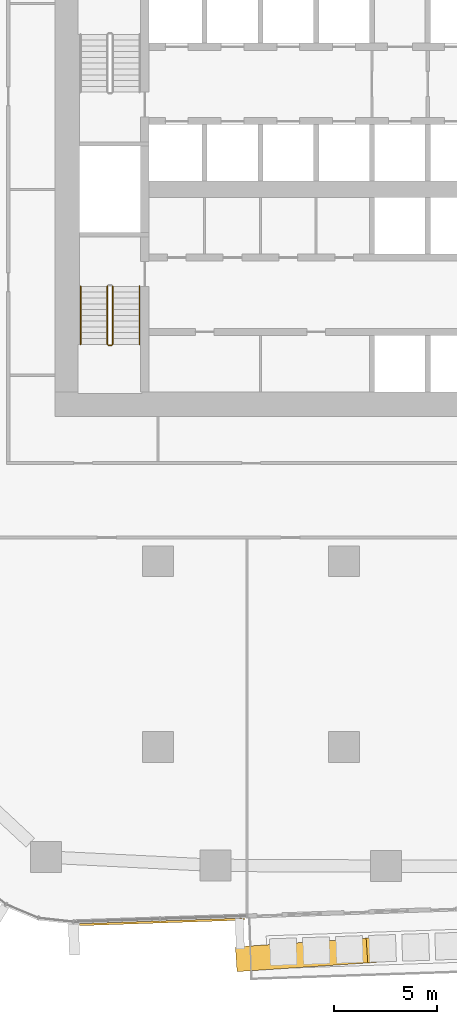
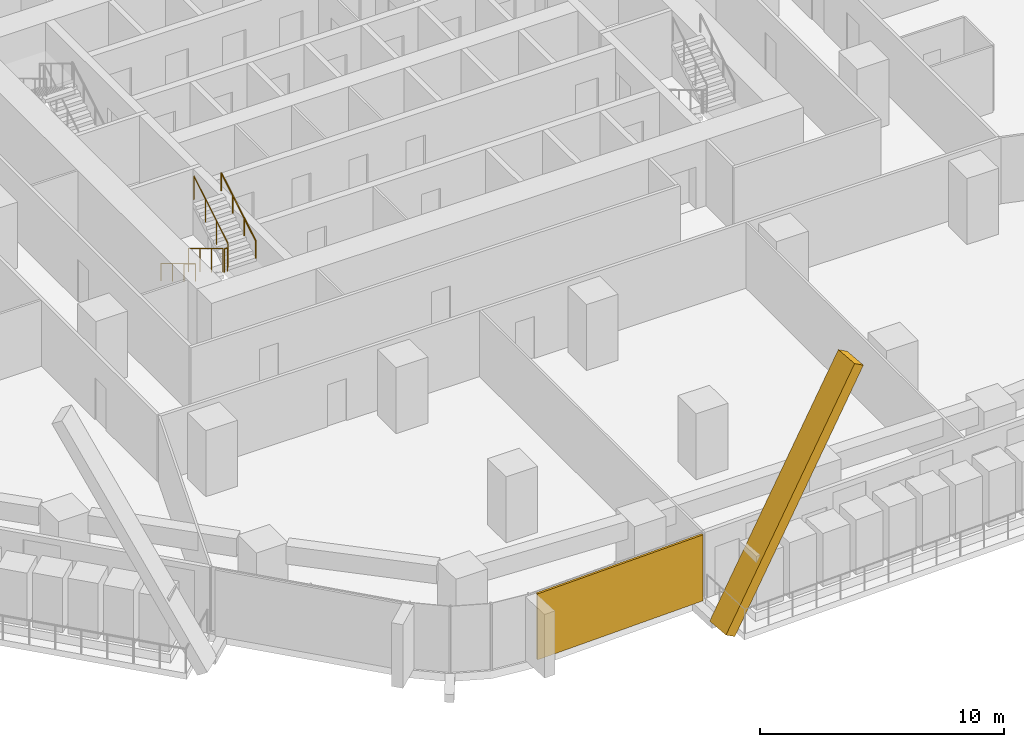
# One storey, part 20 of 26: 5 railings, 2 coverings, 1 element without a shape of its own.
"""IFC4 building model written with IfcOpenShell, lengths in metres."""

from ifc_helpers import new_model, si_unit, direction, frame, origin, origin_2d, place, context, subcontext, project, spatial, rectangle, circle, extrude, material, layer, layer_set, material_profile, profile_set, type_object, element, aggregate, save


model = new_model("IFC4")

# Units and contexts
model_context = context("Model", 3, precision=1e-05, world=origin(), true_north=direction((0.0, 1.0)))
body_context = subcontext(model_context, "Body", "Model", "MODEL_VIEW")
ifc_project = project(units=[si_unit("LENGTHUNIT", "METRE"), si_unit("AREAUNIT", "SQUARE_METRE"), si_unit("VOLUMEUNIT", "CUBIC_METRE"), si_unit("PLANEANGLEUNIT", "RADIAN"), si_unit("MASSUNIT", "GRAM", prefix="KILO")], contexts=[model_context])

# Site, building, storey
site_placement = place(None, origin())
site = spatial("IfcSite", under=ifc_project, at=site_placement, CompositionType="ELEMENT")
building_placement = place(site_placement, origin())
building = spatial("IfcBuilding", under=site, at=building_placement, Name="Dongbaek Canopy Tower", CompositionType="ELEMENT")
storey_placement = place(building_placement, frame((0.0, 0.0, 73.60009765625)))
storey = spatial("IfcBuildingStorey", under=building, at=storey_placement, Name="L14", CompositionType="ELEMENT", Elevation=73.60009765625)

# Curtain wall, coverings
ifc_material_1 = material(Name="Aluminium 6063-T6 pale anodised", Category="aluminium")
ifc_layer_1 = layer(ifc_material_1, 0.199951171875)
ifc_layer_set_1 = layer_set([ifc_layer_1], Name="CW-1 unitised tower curtain wall")
curtain_wall_type = type_object("IfcCurtainWallType", Name="CW-1 unitised tower curtain wall", PredefinedType="NOTDEFINED", material=ifc_layer_set_1)
curtain_wall_placement = place(storey_placement, origin())
curtain_wall = element("IfcCurtainWall", 1, at=curtain_wall_placement, inside=storey, type_object=curtain_wall_type, Name="CW-1 curtain wall F4.1", PredefinedType="NOTDEFINED")
ifc_material_2 = material(Name="Aluminium 6063-T6 pale metal fin", Category="aluminium")
ifc_material_profile = material_profile(ifc_material_2, rectangle(XDim=1.199951171875, YDim=0.5, at=origin_2d()), Name="Crease fin CF1 500 x 1200 pale metal")
ifc_profile_set = profile_set([ifc_material_profile], Name="Aluminium 6063-T6 pale metal fin")
covering_type_1 = type_object("IfcCoveringType", Name="Crease fin CF1 500 x 1200 pale metal", PredefinedType="CLADDING", material=ifc_profile_set)
covering_1_placement = place(storey_placement, frame((-5.003662109375, -37.2490234375, -0.2001953125), z_axis=(0.494992711978, 0.033228677424, 0.868261521712), x_axis=(-0.06697888288, 0.997754393249, 0.0)))
covering_1 = element("IfcCovering", 2, at=covering_1_placement, type_object=covering_type_1, Name="Crease fin L14 L17 F4", PredefinedType="CLADDING", context=body_context, shape_type="SweptSolid", body=[
    extrude(rectangle(XDim=1.199951171875, YDim=0.5, at=origin_2d()), origin(), (0.0, 0.0, 1.0), 12.7841796875),
])
ifc_material_3 = material(Name="Perforated aluminium 6063-T6 pale metal screen", Category="aluminium")
ifc_layer_2 = layer(ifc_material_3, 0.10009765625)
ifc_layer_set_2 = layer_set([ifc_layer_2], Name="Facet screen FS1 100 pale metal")
covering_type_2 = type_object("IfcCoveringType", Name="Facet screen FS1 100 pale metal", PredefinedType="CLADDING", material=ifc_layer_set_2)
covering_2_placement = place(storey_placement, frame((-8.81396484375, -35.453369140625, 0.0), z_axis=(0.0, 0.0, 1.0), x_axis=(0.999424104595, 0.03393315715, 0.0)))
covering_2 = element("IfcCovering", 3, at=covering_2_placement, type_object=covering_type_2, Name="Facet screen L14 F4", PredefinedType="CLADDING", context=body_context, shape_type="SweptSolid", body=[
    extrude(rectangle(XDim=7.98388671875, YDim=0.10009765625, at=origin_2d()), origin(), (0.0, 0.0, 1.0), 3.300048828125),
])
aggregate(curtain_wall, [covering_1, covering_2])

# Railings
ifc_material_4 = material(Name="Stainless steel tube and balusters", Category="steel")
railing_type_1 = type_object("IfcRailingType", Name="Stair guard 1200", PredefinedType="GUARDRAIL", material=ifc_material_4)
railing_1_placement = place(storey_placement, frame((-11.449951171875, -4.699951171875, 0.16796875)))
element("IfcRailing", 4, at=railing_1_placement, inside=storey, type_object=railing_type_1, Name="L14 ST-D stair guard 1", PredefinedType="GUARDRAIL", context=body_context, shape_type="SweptSolid", body=[
    extrude(circle(Radius=0.02392578125, at=origin_2d()), frame((0.0, 0.0, 1.17578125), z_axis=(0.0, -0.857242210791, 0.514913383045), x_axis=(1.0, 0.0, 0.0)), (0.0, 0.0, 1.0), 3.266357421875),
    extrude(circle(Radius=0.02099609375, at=origin_2d()), origin(), (0.0, 0.0, 1.0), 1.15185546875),
    extrude(circle(Radius=0.02099609375, at=origin_2d()), frame((0.0, -0.933349609375, 0.560546875)), (0.0, 0.0, 1.0), 1.15185546875),
    extrude(circle(Radius=0.02099609375, at=origin_2d()), frame((0.0, -1.86669921875, 1.121337890625)), (0.0, 0.0, 1.0), 1.15185546875),
    extrude(circle(Radius=0.02099609375, at=origin_2d()), frame((0.0, -2.800048828125, 1.681884765625)), (0.0, 0.0, 1.0), 1.15185546875),
])
railing_2_placement = place(storey_placement, frame((-11.39990234375, -7.550048828125, 1.849853515625)))
element("IfcRailing", 5, at=railing_2_placement, inside=storey, type_object=railing_type_1, Name="L14 ST-D stair guard 2", PredefinedType="GUARDRAIL", context=body_context, shape_type="SweptSolid", body=[
    extrude(circle(Radius=0.02392578125, at=origin_2d()), frame((0.0, 0.0, 1.17578125), z_axis=(1.0, 0.0, 0.0), x_axis=(0.0, 1.0, 0.0)), (0.0, 0.0, 1.0), 0.14990234375),
    extrude(circle(Radius=0.02099609375, at=origin_2d()), origin(), (0.0, 0.0, 1.0), 1.15185546875),
    extrude(circle(Radius=0.02099609375, at=origin_2d()), frame((0.14990234375, 0.0, 0.0)), (0.0, 0.0, 1.0), 1.15185546875),
])
railing_3_placement = place(storey_placement, frame((-11.199951171875, -7.5, 2.01806640625)))
element("IfcRailing", 6, at=railing_3_placement, inside=storey, type_object=railing_type_1, Name="L14 ST-D stair guard 3", PredefinedType="GUARDRAIL", context=body_context, shape_type="SweptSolid", body=[
    extrude(circle(Radius=0.02392578125, at=origin_2d()), frame((0.0, 0.0, 1.17578125), z_axis=(0.0, 0.857242210791, 0.514913383045), x_axis=(-1.0, 0.0, 0.0)), (0.0, 0.0, 1.0), 3.266357421875),
    extrude(circle(Radius=0.02099609375, at=origin_2d()), origin(), (0.0, 0.0, 1.0), 1.15185546875),
    extrude(circle(Radius=0.02099609375, at=origin_2d()), frame((0.0, 0.933349609375, 0.560546875)), (0.0, 0.0, 1.0), 1.15185546875),
    extrude(circle(Radius=0.02099609375, at=origin_2d()), frame((0.0, 1.86669921875, 1.121337890625)), (0.0, 0.0, 1.0), 1.15185546875),
    extrude(circle(Radius=0.02099609375, at=origin_2d()), frame((0.0, 2.800048828125, 1.681884765625)), (0.0, 0.0, 1.0), 1.15185546875),
])
ifc_material_5 = material(Name="Stainless steel tube", Category="steel")
railing_type_2 = type_object("IfcRailingType", Name="Stair handrail 900", PredefinedType="HANDRAIL", material=ifc_material_5)
railing_4_placement = place(storey_placement, frame((-12.75, -4.699951171875, 0.16796875)))
element("IfcRailing", 7, at=railing_4_placement, inside=storey, type_object=railing_type_2, Name="L14 ST-D stair handrail 1", PredefinedType="HANDRAIL", context=body_context, shape_type="SweptSolid", body=[
    extrude(circle(Radius=0.02392578125, at=origin_2d()), frame((0.0, 0.0, 0.8759765625), z_axis=(0.0, -0.857242210791, 0.514913383045), x_axis=(1.0, 0.0, 0.0)), (0.0, 0.0, 1.0), 3.266357421875),
    extrude(circle(Radius=0.02099609375, at=origin_2d()), origin(), (0.0, 0.0, 1.0), 0.851806640625),
    extrude(circle(Radius=0.02099609375, at=origin_2d()), frame((0.0, -0.933349609375, 0.560546875)), (0.0, 0.0, 1.0), 0.851806640625),
    extrude(circle(Radius=0.02099609375, at=origin_2d()), frame((0.0, -1.86669921875, 1.121337890625)), (0.0, 0.0, 1.0), 0.851806640625),
    extrude(circle(Radius=0.02099609375, at=origin_2d()), frame((0.0, -2.800048828125, 1.681884765625)), (0.0, 0.0, 1.0), 0.851806640625),
])
railing_5_placement = place(storey_placement, frame((-9.89990234375, -7.5, 2.01806640625)))
element("IfcRailing", 8, at=railing_5_placement, inside=storey, type_object=railing_type_2, Name="L14 ST-D stair handrail 2", PredefinedType="HANDRAIL", context=body_context, shape_type="SweptSolid", body=[
    extrude(circle(Radius=0.02392578125, at=origin_2d()), frame((0.0, 0.0, 0.8759765625), z_axis=(0.0, 0.857242210791, 0.514913383045), x_axis=(-1.0, 0.0, 0.0)), (0.0, 0.0, 1.0), 3.266357421875),
    extrude(circle(Radius=0.02099609375, at=origin_2d()), origin(), (0.0, 0.0, 1.0), 0.851806640625),
    extrude(circle(Radius=0.02099609375, at=origin_2d()), frame((0.0, 0.933349609375, 0.560546875)), (0.0, 0.0, 1.0), 0.851806640625),
    extrude(circle(Radius=0.02099609375, at=origin_2d()), frame((0.0, 1.86669921875, 1.121337890625)), (0.0, 0.0, 1.0), 0.851806640625),
    extrude(circle(Radius=0.02099609375, at=origin_2d()), frame((0.0, 2.800048828125, 1.681884765625)), (0.0, 0.0, 1.0), 0.851806640625),
])

save(model, "model.ifc")
